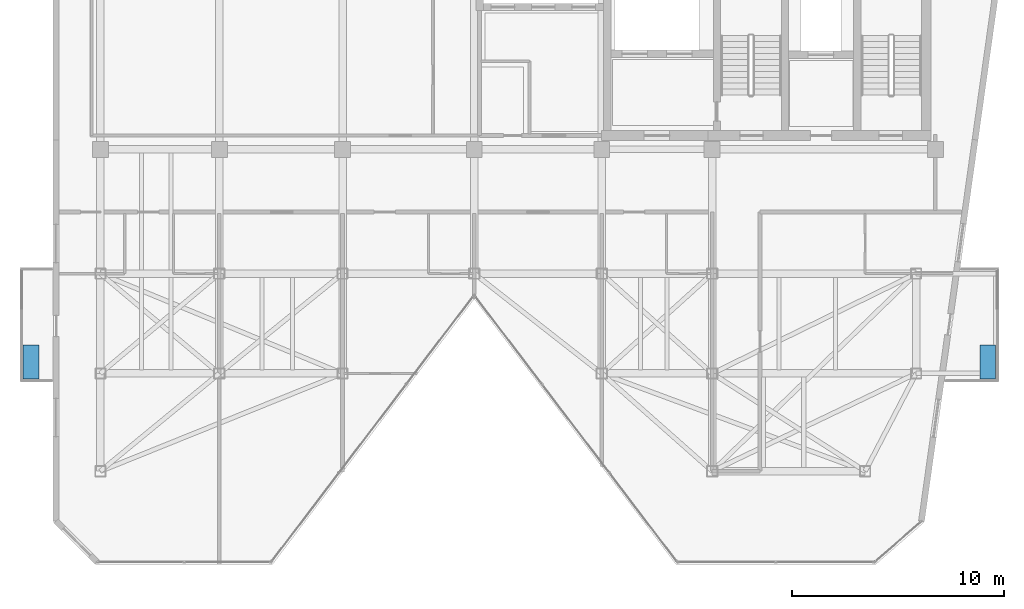
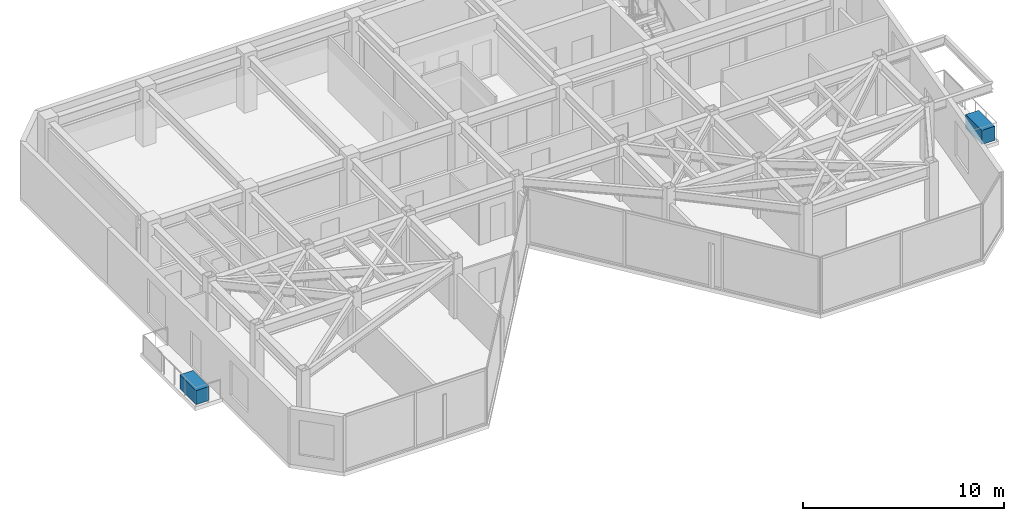
# One storey, part 15 of 17: 2 discrete accessories.
"""IFC4 building model written with IfcOpenShell, lengths in metres."""

from ifc_helpers import new_model, si_unit, direction, frame, origin, origin_2d, place, context, subcontext, project, spatial, rectangle, extrude, material, type_object, element, save


model = new_model("IFC4")

# Units and contexts
model_context = context("Model", 3, precision=1e-05, world=origin(), true_north=direction((0.0, 1.0)))
body_context = subcontext(model_context, "Body", "Model", "MODEL_VIEW")
ifc_project = project(units=[si_unit("LENGTHUNIT", "METRE"), si_unit("AREAUNIT", "SQUARE_METRE"), si_unit("VOLUMEUNIT", "CUBIC_METRE"), si_unit("PLANEANGLEUNIT", "RADIAN"), si_unit("MASSUNIT", "GRAM", prefix="KILO")], contexts=[model_context])

# Site, building, storey
site_placement = place(None, origin())
site = spatial("IfcSite", under=ifc_project, at=site_placement, CompositionType="ELEMENT")
building_placement = place(site_placement, origin())
building = spatial("IfcBuilding", under=site, at=building_placement, Name="Kravanh Interchange Tower", CompositionType="ELEMENT")
storey_placement = place(building_placement, frame((0.0, 0.0, 249.0)))
storey = spatial("IfcBuildingStorey", under=building, at=storey_placement, Name="L60", CompositionType="ELEMENT", Elevation=249.0)

# Discrete accessories
ifc_material = material(Name="Architectural GRC Concrete C40/50 with Root Barrier", Category="concrete")
discrete_accessory_type = type_object("IfcDiscreteAccessoryType", Name="Structural Balcony Tree Planter Box Concrete C40/50 1600x750x850", PredefinedType="USERDEFINED", material=ifc_material)
for number, where, z_axis, x_axis, name in (
    (1, (68.969970703125, 27.340087890625, 0.0), (0.0, 0.0, 1.0), (1.0, 0.0, 0.0), "L60 E Balcony TREE PLANTER"),
    (2, (23.93994140625, 27.340087890625, 0.0), (0.0, 0.0, 1.0), (1.0, 0.0, 0.0), "L60 W Balcony TREE PLANTER"),
):
    element("IfcDiscreteAccessory", number, at=place(storey_placement, frame(where, z_axis=z_axis, x_axis=x_axis)), inside=storey, type_object=discrete_accessory_type, Name=name, ObjectType="PLANTER", PredefinedType="USERDEFINED", context=body_context, shape_type="SweptSolid", body=[
        extrude(rectangle(XDim=0.75, YDim=1.60009765625, at=origin_2d()), origin(), (0.0, 0.0, 1.0), 0.85009765625),
    ])

save(model, "model.ifc")
